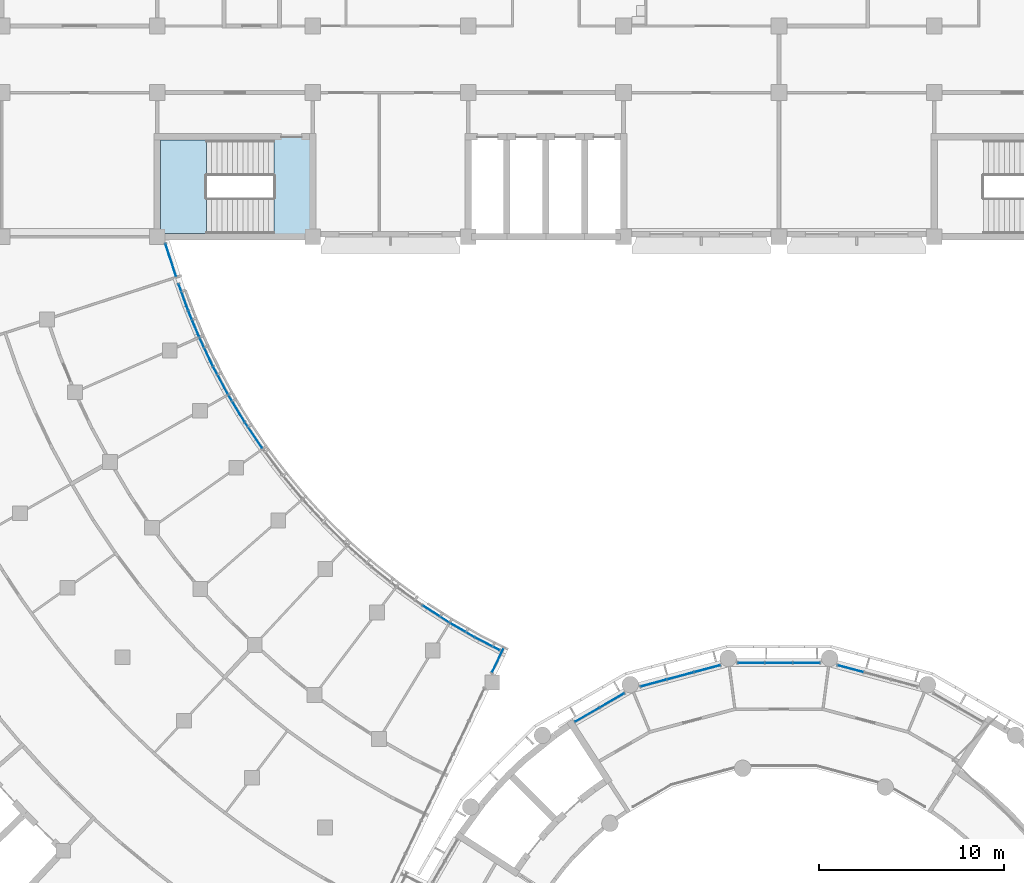
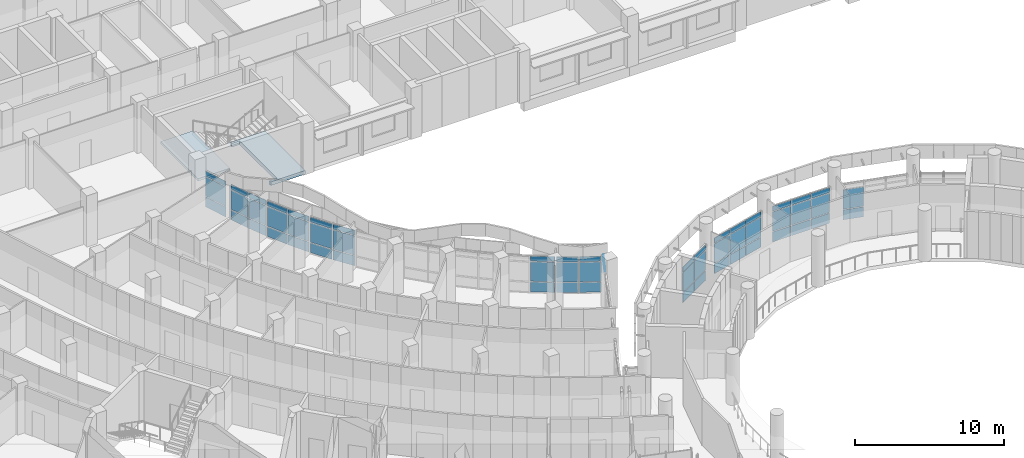
# One storey, part 39 of 109: 57 plates, 2 slabs, 12 elements without a shape of their own.
"""IFC4 building model written with IfcOpenShell, lengths in metres."""

from ifc_helpers import new_model, si_unit, direction, frame, origin, origin_2d, place, context, subcontext, project, spatial, polyline, rectangle, outline, extrude, material, layer, layer_set, type_object, element, aggregate, save


model = new_model("IFC4")

# Units and contexts
model_context = context("Model", 3, precision=1e-05, world=origin(), true_north=direction((0.0, 1.0)))
body_context = subcontext(model_context, "Body", "Model", "MODEL_VIEW")
ifc_project = project(units=[si_unit("LENGTHUNIT", "METRE"), si_unit("AREAUNIT", "SQUARE_METRE"), si_unit("VOLUMEUNIT", "CUBIC_METRE"), si_unit("PLANEANGLEUNIT", "RADIAN"), si_unit("MASSUNIT", "GRAM", prefix="KILO")], contexts=[model_context])

# Site, building, storey
site_placement = place(None, origin())
site = spatial("IfcSite", under=ifc_project, at=site_placement, CompositionType="ELEMENT")
building_placement = place(site_placement, origin())
building = spatial("IfcBuilding", under=site, at=building_placement, Name="Bougainvillea Quay General Hospital", CompositionType="ELEMENT")
storey_placement = place(building_placement, frame((0.0, 0.0, 12.60009765625)))
storey = spatial("IfcBuildingStorey", under=building, at=storey_placement, Name="L02", CompositionType="ELEMENT", Elevation=12.60009765625)

# Curtain wall, plate
ifc_material_1 = material(Name="Aluminium curtain wall system, powder-coated glazed", Category="aluminium")
curtain_wall_type_1 = type_object("IfcCurtainWallType", Name="Unitised curtain wall CW-1580", PredefinedType="NOTDEFINED", material=ifc_material_1)
curtain_wall_1_placement = place(storey_placement, origin())
curtain_wall_1 = element("IfcCurtainWall", 1, at=curtain_wall_1_placement, inside=storey, type_object=curtain_wall_type_1, Name="CW-AE 01", PredefinedType="NOTDEFINED")
ifc_material_2 = material(Name="Insulated aluminium spandrel panel, white", Category="aluminium")
ifc_layer_1 = layer(ifc_material_2, 0.028076171875)
ifc_layer_set_1 = layer_set([ifc_layer_1], Name="Insulated aluminium spandrel panel, white")
plate_type_1 = type_object("IfcPlateType", Name="Insulated spandrel panel white 28", PredefinedType="CURTAIN_PANEL", material=ifc_layer_set_1)
plate_1_placement = place(storey_placement, frame((93.997314453125, 94.706787109375, 2.580078125), z_axis=(0.0, 0.0, 1.0), x_axis=(0.430563040838, 0.902560506484, 0.0)))
plate_1 = element("IfcPlate", 2, at=plate_1_placement, type_object=plate_type_1, Name="CW-AE spandrel panel 1.3", PredefinedType="CURTAIN_PANEL", context=body_context, shape_type="SweptSolid", body=[
    extrude(rectangle(XDim=1.459716796875, YDim=0.028076171875, at=origin_2d()), origin(), (0.0, 0.0, 1.0), 0.409912109375),
])
aggregate(curtain_wall_1, [plate_1])

# Curtain wall, plates
curtain_wall_type_2 = type_object("IfcCurtainWallType", Name="Unitised curtain wall CW-2100", PredefinedType="NOTDEFINED", material=ifc_material_1)
curtain_wall_2_placement = place(storey_placement, origin())
curtain_wall_2 = element("IfcCurtainWall", 3, at=curtain_wall_2_placement, inside=storey, type_object=curtain_wall_type_2, Name="CW-W01 a11b0", PredefinedType="NOTDEFINED")
plate_2_placement = place(storey_placement, frame((93.4384765625, 95.602294921875, 0.059814453125), z_axis=(0.0, 0.0, 1.0), x_axis=(-0.887958036873, 0.459924477228, 0.0)))
plate_2 = element("IfcPlate", 4, at=plate_2_placement, type_object=plate_type_1, Name="CW-W01 spandrel panel 1.1", PredefinedType="CURTAIN_PANEL", context=body_context, shape_type="SweptSolid", body=[
    extrude(rectangle(XDim=1.475830078125, YDim=0.028076171875, at=origin_2d()), origin(), (0.0, 0.0, 1.0), 0.81005859375),
])
plate_3_placement = place(storey_placement, frame((93.4384765625, 95.602294921875, 2.580078125), z_axis=(0.0, 0.0, 1.0), x_axis=(-0.887958036873, 0.459924477228, 0.0)))
plate_3 = element("IfcPlate", 5, at=plate_3_placement, type_object=plate_type_1, Name="CW-W01 spandrel panel 1.3", PredefinedType="CURTAIN_PANEL", context=body_context, shape_type="SweptSolid", body=[
    extrude(rectangle(XDim=1.475830078125, YDim=0.028076171875, at=origin_2d()), origin(), (0.0, 0.0, 1.0), 0.409912109375),
])
plate_4_placement = place(storey_placement, frame((92.09130859375, 96.339599609375, 0.059814453125), z_axis=(0.0, 0.0, 1.0), x_axis=(-0.866007268476, 0.50003140996, 0.0)))
plate_4 = element("IfcPlate", 6, at=plate_4_placement, type_object=plate_type_1, Name="CW-W01 spandrel panel 2.1", PredefinedType="CURTAIN_PANEL", context=body_context, shape_type="SweptSolid", body=[
    extrude(rectangle(XDim=1.475830078125, YDim=0.028076171875, at=origin_2d()), origin(), (0.0, 0.0, 1.0), 0.81005859375),
])
plate_5_placement = place(storey_placement, frame((92.09130859375, 96.339599609375, 2.580078125), z_axis=(0.0, 0.0, 1.0), x_axis=(-0.866007268476, 0.50003140996, 0.0)))
plate_5 = element("IfcPlate", 7, at=plate_5_placement, type_object=plate_type_1, Name="CW-W01 spandrel panel 2.3", PredefinedType="CURTAIN_PANEL", context=body_context, shape_type="SweptSolid", body=[
    extrude(rectangle(XDim=1.475830078125, YDim=0.028076171875, at=origin_2d()), origin(), (0.0, 0.0, 1.0), 0.409912109375),
])

curtain_wall_3_placement = place(storey_placement, origin())
curtain_wall_3 = element("IfcCurtainWall", 8, at=curtain_wall_3_placement, inside=storey, type_object=curtain_wall_type_2, Name="CW-W02 a11b1", PredefinedType="NOTDEFINED")
plate_6_placement = place(storey_placement, frame((90.657470703125, 97.216796875, 0.059814453125), z_axis=(0.0, 0.0, 1.0), x_axis=(-0.840897357359, 0.541194636325, 0.0)))
plate_6 = element("IfcPlate", 9, at=plate_6_placement, type_object=plate_type_1, Name="CW-W02 spandrel panel 1.1", PredefinedType="CURTAIN_PANEL", context=body_context, shape_type="SweptSolid", body=[
    extrude(rectangle(XDim=1.64697265625, YDim=0.028076171875, at=origin_2d()), origin(), (0.0, 0.0, 1.0), 0.81005859375),
])
plate_7_placement = place(storey_placement, frame((90.657470703125, 97.216796875, 2.580078125), z_axis=(0.0, 0.0, 1.0), x_axis=(-0.840897357359, 0.541194636325, 0.0)))
plate_7 = element("IfcPlate", 10, at=plate_7_placement, type_object=plate_type_1, Name="CW-W02 spandrel panel 1.3", PredefinedType="CURTAIN_PANEL", context=body_context, shape_type="SweptSolid", body=[
    extrude(rectangle(XDim=1.64697265625, YDim=0.028076171875, at=origin_2d()), origin(), (0.0, 0.0, 1.0), 0.409912109375),
])

curtain_wall_4_placement = place(storey_placement, origin())
curtain_wall_4 = element("IfcCurtainWall", 11, at=curtain_wall_4_placement, inside=storey, type_object=curtain_wall_type_2, Name="CW-W06 a11b5", PredefinedType="NOTDEFINED")
plate_8_placement = place(storey_placement, frame((80.802001953125, 106.872802734375, 0.059814453125), z_axis=(0.0, 0.0, 1.0), x_axis=(-0.55900478642, 0.82916442806, 0.0)))
plate_8 = element("IfcPlate", 12, at=plate_8_placement, type_object=plate_type_1, Name="CW-W06 spandrel panel 1.1", PredefinedType="CURTAIN_PANEL", context=body_context, shape_type="SweptSolid", body=[
    extrude(rectangle(XDim=1.64697265625, YDim=0.028076171875, at=origin_2d()), origin(), (0.0, 0.0, 1.0), 0.81005859375),
])
plate_9_placement = place(storey_placement, frame((80.802001953125, 106.872802734375, 2.580078125), z_axis=(0.0, 0.0, 1.0), x_axis=(-0.55900478642, 0.82916442806, 0.0)))
plate_9 = element("IfcPlate", 13, at=plate_9_placement, type_object=plate_type_1, Name="CW-W06 spandrel panel 1.3", PredefinedType="CURTAIN_PANEL", context=body_context, shape_type="SweptSolid", body=[
    extrude(rectangle(XDim=1.64697265625, YDim=0.028076171875, at=origin_2d()), origin(), (0.0, 0.0, 1.0), 0.409912109375),
])
plate_10_placement = place(storey_placement, frame((79.88427734375, 108.311279296875, 0.059814453125), z_axis=(0.0, 0.0, 1.0), x_axis=(-0.516249351553, 0.856438326455, 0.0)))
plate_10 = element("IfcPlate", 14, at=plate_10_placement, type_object=plate_type_1, Name="CW-W06 spandrel panel 2.1", PredefinedType="CURTAIN_PANEL", context=body_context, shape_type="SweptSolid", body=[
    extrude(rectangle(XDim=1.64697265625, YDim=0.028076171875, at=origin_2d()), origin(), (0.0, 0.0, 1.0), 0.81005859375),
])
plate_11_placement = place(storey_placement, frame((79.88427734375, 108.311279296875, 2.580078125), z_axis=(0.0, 0.0, 1.0), x_axis=(-0.516249351553, 0.856438326455, 0.0)))
plate_11 = element("IfcPlate", 15, at=plate_11_placement, type_object=plate_type_1, Name="CW-W06 spandrel panel 2.3", PredefinedType="CURTAIN_PANEL", context=body_context, shape_type="SweptSolid", body=[
    extrude(rectangle(XDim=1.64697265625, YDim=0.028076171875, at=origin_2d()), origin(), (0.0, 0.0, 1.0), 0.409912109375),
])

curtain_wall_5_placement = place(storey_placement, origin())
curtain_wall_5 = element("IfcCurtainWall", 16, at=curtain_wall_5_placement, inside=storey, type_object=curtain_wall_type_2, Name="CW-W07 a11b6", PredefinedType="NOTDEFINED")
plate_12_placement = place(storey_placement, frame((79.010986328125, 109.8466796875, 0.059814453125), z_axis=(0.0, 0.0, 1.0), x_axis=(-0.472166178724, 0.881509557333, 0.0)))
plate_12 = element("IfcPlate", 17, at=plate_12_placement, type_object=plate_type_1, Name="CW-W07 spandrel panel 1.1", PredefinedType="CURTAIN_PANEL", context=body_context, shape_type="SweptSolid", body=[
    extrude(rectangle(XDim=1.64697265625, YDim=0.028076171875, at=origin_2d()), origin(), (0.0, 0.0, 1.0), 0.81005859375),
])
plate_13_placement = place(storey_placement, frame((79.010986328125, 109.8466796875, 2.580078125), z_axis=(0.0, 0.0, 1.0), x_axis=(-0.472166178724, 0.881509557333, 0.0)))
plate_13 = element("IfcPlate", 18, at=plate_13_placement, type_object=plate_type_1, Name="CW-W07 spandrel panel 1.3", PredefinedType="CURTAIN_PANEL", context=body_context, shape_type="SweptSolid", body=[
    extrude(rectangle(XDim=1.64697265625, YDim=0.028076171875, at=origin_2d()), origin(), (0.0, 0.0, 1.0), 0.409912109375),
])
plate_14_placement = place(storey_placement, frame((78.24365234375, 111.370849609375, 0.059814453125), z_axis=(0.0, 0.0, 1.0), x_axis=(-0.426868645126, 0.904313640176, 0.0)))
plate_14 = element("IfcPlate", 19, at=plate_14_placement, type_object=plate_type_1, Name="CW-W07 spandrel panel 2.1", PredefinedType="CURTAIN_PANEL", context=body_context, shape_type="SweptSolid", body=[
    extrude(rectangle(XDim=1.64697265625, YDim=0.028076171875, at=origin_2d()), origin(), (0.0, 0.0, 1.0), 0.81005859375),
])
plate_15_placement = place(storey_placement, frame((78.24365234375, 111.370849609375, 2.580078125), z_axis=(0.0, 0.0, 1.0), x_axis=(-0.426868645126, 0.904313640176, 0.0)))
plate_15 = element("IfcPlate", 20, at=plate_15_placement, type_object=plate_type_1, Name="CW-W07 spandrel panel 2.3", PredefinedType="CURTAIN_PANEL", context=body_context, shape_type="SweptSolid", body=[
    extrude(rectangle(XDim=1.64697265625, YDim=0.028076171875, at=origin_2d()), origin(), (0.0, 0.0, 1.0), 0.409912109375),
])

curtain_wall_6_placement = place(storey_placement, origin())
curtain_wall_6 = element("IfcCurtainWall", 21, at=curtain_wall_6_placement, inside=storey, type_object=curtain_wall_type_2, Name="CW-W08 a11b7", PredefinedType="NOTDEFINED")
plate_16_placement = place(storey_placement, frame((77.56103515625, 112.907470703125, 0.059814453125), z_axis=(0.0, 0.0, 1.0), x_axis=(-0.382770483282, 0.923843470036, 0.0)))
plate_16 = element("IfcPlate", 22, at=plate_16_placement, type_object=plate_type_1, Name="CW-W08 spandrel panel 1.1", PredefinedType="CURTAIN_PANEL", context=body_context, shape_type="SweptSolid", body=[
    extrude(rectangle(XDim=1.476806640625, YDim=0.028076171875, at=origin_2d()), origin(), (0.0, 0.0, 1.0), 0.81005859375),
])
plate_17_placement = place(storey_placement, frame((77.56103515625, 112.907470703125, 2.580078125), z_axis=(0.0, 0.0, 1.0), x_axis=(-0.382770483282, 0.923843470036, 0.0)))
plate_17 = element("IfcPlate", 23, at=plate_17_placement, type_object=plate_type_1, Name="CW-W08 spandrel panel 1.3", PredefinedType="CURTAIN_PANEL", context=body_context, shape_type="SweptSolid", body=[
    extrude(rectangle(XDim=1.476806640625, YDim=0.028076171875, at=origin_2d()), origin(), (0.0, 0.0, 1.0), 0.409912109375),
])
plate_18_placement = place(storey_placement, frame((77.005615234375, 114.33984375, 0.059814453125), z_axis=(0.0, 0.0, 1.0), x_axis=(-0.340120177444, 0.940381978185, 0.0)))
plate_18 = element("IfcPlate", 24, at=plate_18_placement, type_object=plate_type_1, Name="CW-W08 spandrel panel 2.1", PredefinedType="CURTAIN_PANEL", context=body_context, shape_type="SweptSolid", body=[
    extrude(rectangle(XDim=1.476806640625, YDim=0.028076171875, at=origin_2d()), origin(), (0.0, 0.0, 1.0), 0.81005859375),
])
plate_19_placement = place(storey_placement, frame((77.005615234375, 114.33984375, 2.580078125), z_axis=(0.0, 0.0, 1.0), x_axis=(-0.340120177444, 0.940381978185, 0.0)))
plate_19 = element("IfcPlate", 25, at=plate_19_placement, type_object=plate_type_1, Name="CW-W08 spandrel panel 2.3", PredefinedType="CURTAIN_PANEL", context=body_context, shape_type="SweptSolid", body=[
    extrude(rectangle(XDim=1.476806640625, YDim=0.028076171875, at=origin_2d()), origin(), (0.0, 0.0, 1.0), 0.409912109375),
])

curtain_wall_type_3 = type_object("IfcCurtainWallType", Name="Unitised curtain wall CW-1950", PredefinedType="NOTDEFINED", material=ifc_material_1)
curtain_wall_7_placement = place(storey_placement, origin())
curtain_wall_7 = element("IfcCurtainWall", 26, at=curtain_wall_7_placement, inside=storey, type_object=curtain_wall_type_3, Name="CW-AE 00", PredefinedType="NOTDEFINED")
plate_20_placement = place(storey_placement, frame((76.324951171875, 116.3427734375, 0.059814453125), z_axis=(0.0, 0.0, 1.0), x_axis=(-0.308970506674, 0.951071619809, 0.0)))
plate_20 = element("IfcPlate", 27, at=plate_20_placement, type_object=plate_type_1, Name="CW-AE spandrel panel 1.1", PredefinedType="CURTAIN_PANEL", context=body_context, shape_type="SweptSolid", body=[
    extrude(rectangle(XDim=1.829345703125, YDim=0.028076171875, at=origin_2d()), origin(), (0.0, 0.0, 1.0), 0.81005859375),
])
plate_21_placement = place(storey_placement, frame((76.324951171875, 116.3427734375, 2.580078125), z_axis=(0.0, 0.0, 1.0), x_axis=(-0.308970506674, 0.951071619809, 0.0)))
plate_21 = element("IfcPlate", 28, at=plate_21_placement, type_object=plate_type_1, Name="CW-AE spandrel panel 1.3", PredefinedType="CURTAIN_PANEL", context=body_context, shape_type="SweptSolid", body=[
    extrude(rectangle(XDim=1.829345703125, YDim=0.028076171875, at=origin_2d()), origin(), (0.0, 0.0, 1.0), 0.409912109375),
])

# Curtain wall, plate
curtain_wall_type_4 = type_object("IfcCurtainWallType", Name="Unitised curtain wall CW-1514", PredefinedType="NOTDEFINED", material=ifc_material_1)
curtain_wall_8_placement = place(storey_placement, origin())
curtain_wall_8 = element("IfcCurtainWall", 29, at=curtain_wall_8_placement, inside=storey, type_object=curtain_wall_type_4, Name="CW-D 00", PredefinedType="NOTDEFINED")
plate_22_placement = place(storey_placement, frame((113.075927734375, 94.257080078125, 0.059814453125), z_axis=(0.0, 0.0, 1.0), x_axis=(-0.965916292974, 0.258854621298, 0.0)))
plate_22 = element("IfcPlate", 30, at=plate_22_placement, type_object=plate_type_1, Name="CW-D spandrel panel 3.1", PredefinedType="CURTAIN_PANEL", context=body_context, shape_type="SweptSolid", body=[
    extrude(rectangle(XDim=1.423828125, YDim=0.028076171875, at=origin_2d()), origin(), (0.0, 0.0, 1.0), 0.81005859375),
])

# Curtain wall, plates
curtain_wall_9_placement = place(storey_placement, origin())
curtain_wall_9 = element("IfcCurtainWall", 31, at=curtain_wall_9_placement, inside=storey, type_object=curtain_wall_type_4, Name="CW-D 00", PredefinedType="NOTDEFINED")
plate_23_placement = place(storey_placement, frame((110.698974609375, 94.570068359375, 0.059814453125), z_axis=(0.0, 0.0, 1.0), x_axis=(-1.0, 0.0, 0.0)))
plate_23 = element("IfcPlate", 32, at=plate_23_placement, type_object=plate_type_1, Name="CW-D spandrel panel 1.1", PredefinedType="CURTAIN_PANEL", context=body_context, shape_type="SweptSolid", body=[
    extrude(rectangle(XDim=1.424072265625, YDim=0.028076171875, at=origin_2d()), origin(), (0.0, 0.0, 1.0), 0.81005859375),
])
plate_24_placement = place(storey_placement, frame((110.698974609375, 94.570068359375, 2.580078125), z_axis=(0.0, 0.0, 1.0), x_axis=(-1.0, 0.0, 0.0)))
plate_24 = element("IfcPlate", 33, at=plate_24_placement, type_object=plate_type_1, Name="CW-D spandrel panel 1.3", PredefinedType="CURTAIN_PANEL", context=body_context, shape_type="SweptSolid", body=[
    extrude(rectangle(XDim=1.424072265625, YDim=0.028076171875, at=origin_2d()), origin(), (0.0, 0.0, 1.0), 0.409912109375),
])
plate_25_placement = place(storey_placement, frame((109.199951171875, 94.570068359375, 0.059814453125), z_axis=(0.0, 0.0, 1.0), x_axis=(-1.0, 0.0, 0.0)))
plate_25 = element("IfcPlate", 34, at=plate_25_placement, type_object=plate_type_1, Name="CW-D spandrel panel 2.1", PredefinedType="CURTAIN_PANEL", context=body_context, shape_type="SweptSolid", body=[
    extrude(rectangle(XDim=1.4541015625, YDim=0.028076171875, at=origin_2d()), origin(), (0.0, 0.0, 1.0), 0.81005859375),
])
plate_26_placement = place(storey_placement, frame((109.199951171875, 94.570068359375, 2.580078125), z_axis=(0.0, 0.0, 1.0), x_axis=(-1.0, 0.0, 0.0)))
plate_26 = element("IfcPlate", 35, at=plate_26_placement, type_object=plate_type_1, Name="CW-D spandrel panel 2.3", PredefinedType="CURTAIN_PANEL", context=body_context, shape_type="SweptSolid", body=[
    extrude(rectangle(XDim=1.4541015625, YDim=0.028076171875, at=origin_2d()), origin(), (0.0, 0.0, 1.0), 0.409912109375),
])
plate_27_placement = place(storey_placement, frame((107.700927734375, 94.570068359375, 0.059814453125), z_axis=(0.0, 0.0, 1.0), x_axis=(-1.0, 0.0, 0.0)))
plate_27 = element("IfcPlate", 36, at=plate_27_placement, type_object=plate_type_1, Name="CW-D spandrel panel 3.1", PredefinedType="CURTAIN_PANEL", context=body_context, shape_type="SweptSolid", body=[
    extrude(rectangle(XDim=1.424072265625, YDim=0.028076171875, at=origin_2d()), origin(), (0.0, 0.0, 1.0), 0.81005859375),
])
plate_28_placement = place(storey_placement, frame((107.700927734375, 94.570068359375, 2.580078125), z_axis=(0.0, 0.0, 1.0), x_axis=(-1.0, 0.0, 0.0)))
plate_28 = element("IfcPlate", 37, at=plate_28_placement, type_object=plate_type_1, Name="CW-D spandrel panel 3.3", PredefinedType="CURTAIN_PANEL", context=body_context, shape_type="SweptSolid", body=[
    extrude(rectangle(XDim=1.424072265625, YDim=0.028076171875, at=origin_2d()), origin(), (0.0, 0.0, 1.0), 0.409912109375),
])

curtain_wall_10_placement = place(storey_placement, origin())
curtain_wall_10 = element("IfcCurtainWall", 38, at=curtain_wall_10_placement, inside=storey, type_object=curtain_wall_type_4, Name="CW-D 00", PredefinedType="NOTDEFINED")
plate_29_placement = place(storey_placement, frame((105.323974609375, 94.257080078125, 0.059814453125), z_axis=(0.0, 0.0, 1.0), x_axis=(-0.965916292974, -0.258854621298, 0.0)))
plate_29 = element("IfcPlate", 39, at=plate_29_placement, type_object=plate_type_1, Name="CW-D spandrel panel 1.1", PredefinedType="CURTAIN_PANEL", context=body_context, shape_type="SweptSolid", body=[
    extrude(rectangle(XDim=1.423828125, YDim=0.028076171875, at=origin_2d()), origin(), (0.0, 0.0, 1.0), 0.81005859375),
])
plate_30_placement = place(storey_placement, frame((105.323974609375, 94.257080078125, 2.580078125), z_axis=(0.0, 0.0, 1.0), x_axis=(-0.965916292974, -0.258854621298, 0.0)))
plate_30 = element("IfcPlate", 40, at=plate_30_placement, type_object=plate_type_1, Name="CW-D spandrel panel 1.3", PredefinedType="CURTAIN_PANEL", context=body_context, shape_type="SweptSolid", body=[
    extrude(rectangle(XDim=1.423828125, YDim=0.028076171875, at=origin_2d()), origin(), (0.0, 0.0, 1.0), 0.409912109375),
])
plate_31_placement = place(storey_placement, frame((103.876220703125, 93.869140625, 0.059814453125), z_axis=(0.0, 0.0, 1.0), x_axis=(-0.965916292974, -0.258854621298, 0.0)))
plate_31 = element("IfcPlate", 41, at=plate_31_placement, type_object=plate_type_1, Name="CW-D spandrel panel 2.1", PredefinedType="CURTAIN_PANEL", context=body_context, shape_type="SweptSolid", body=[
    extrude(rectangle(XDim=1.453857421875, YDim=0.028076171875, at=origin_2d()), origin(), (0.0, 0.0, 1.0), 0.81005859375),
])
plate_32_placement = place(storey_placement, frame((103.876220703125, 93.869140625, 2.580078125), z_axis=(0.0, 0.0, 1.0), x_axis=(-0.965916292974, -0.258854621298, 0.0)))
plate_32 = element("IfcPlate", 42, at=plate_32_placement, type_object=plate_type_1, Name="CW-D spandrel panel 2.3", PredefinedType="CURTAIN_PANEL", context=body_context, shape_type="SweptSolid", body=[
    extrude(rectangle(XDim=1.453857421875, YDim=0.028076171875, at=origin_2d()), origin(), (0.0, 0.0, 1.0), 0.409912109375),
])
plate_33_placement = place(storey_placement, frame((102.428466796875, 93.48095703125, 0.059814453125), z_axis=(0.0, 0.0, 1.0), x_axis=(-0.965916292974, -0.258854621298, 0.0)))
plate_33 = element("IfcPlate", 43, at=plate_33_placement, type_object=plate_type_1, Name="CW-D spandrel panel 3.1", PredefinedType="CURTAIN_PANEL", context=body_context, shape_type="SweptSolid", body=[
    extrude(rectangle(XDim=1.423828125, YDim=0.028076171875, at=origin_2d()), origin(), (0.0, 0.0, 1.0), 0.81005859375),
])
plate_34_placement = place(storey_placement, frame((102.428466796875, 93.48095703125, 2.580078125), z_axis=(0.0, 0.0, 1.0), x_axis=(-0.965916292974, -0.258854621298, 0.0)))
plate_34 = element("IfcPlate", 44, at=plate_34_placement, type_object=plate_type_1, Name="CW-D spandrel panel 3.3", PredefinedType="CURTAIN_PANEL", context=body_context, shape_type="SweptSolid", body=[
    extrude(rectangle(XDim=1.423828125, YDim=0.028076171875, at=origin_2d()), origin(), (0.0, 0.0, 1.0), 0.409912109375),
])

curtain_wall_type_5 = type_object("IfcCurtainWallType", Name="Unitised curtain wall CW-1585", PredefinedType="NOTDEFINED", material=ifc_material_1)
curtain_wall_11_placement = place(storey_placement, origin())
curtain_wall_11 = element("IfcCurtainWall", 45, at=curtain_wall_11_placement, inside=storey, type_object=curtain_wall_type_5, Name="CW-D 00", PredefinedType="NOTDEFINED")
plate_35_placement = place(storey_placement, frame((100.1826171875, 92.5458984375, 0.059814453125), z_axis=(0.0, 0.0, 1.0), x_axis=(-0.866045865692, -0.499964557262, 0.0)))
plate_35 = element("IfcPlate", 46, at=plate_35_placement, type_object=plate_type_1, Name="CW-D spandrel panel 1.1", PredefinedType="CURTAIN_PANEL", context=body_context, shape_type="SweptSolid", body=[
    extrude(rectangle(XDim=1.494873046875, YDim=0.028076171875, at=origin_2d()), origin(), (0.0, 0.0, 1.0), 0.81005859375),
])
plate_36_placement = place(storey_placement, frame((100.1826171875, 92.5458984375, 2.580078125), z_axis=(0.0, 0.0, 1.0), x_axis=(-0.866045865692, -0.499964557262, 0.0)))
plate_36 = element("IfcPlate", 47, at=plate_36_placement, type_object=plate_type_1, Name="CW-D spandrel panel 1.3", PredefinedType="CURTAIN_PANEL", context=body_context, shape_type="SweptSolid", body=[
    extrude(rectangle(XDim=1.494873046875, YDim=0.028076171875, at=origin_2d()), origin(), (0.0, 0.0, 1.0), 0.409912109375),
])
plate_37_placement = place(storey_placement, frame((98.8359375, 91.768310546875, 0.059814453125), z_axis=(0.0, 0.0, 1.0), x_axis=(-0.866045865692, -0.499964557262, 0.0)))
plate_37 = element("IfcPlate", 48, at=plate_37_placement, type_object=plate_type_1, Name="CW-D spandrel panel 2.1", PredefinedType="CURTAIN_PANEL", context=body_context, shape_type="SweptSolid", body=[
    extrude(rectangle(XDim=1.494873046875, YDim=0.028076171875, at=origin_2d()), origin(), (0.0, 0.0, 1.0), 0.81005859375),
])
plate_38_placement = place(storey_placement, frame((98.8359375, 91.768310546875, 2.580078125), z_axis=(0.0, 0.0, 1.0), x_axis=(-0.866045865692, -0.499964557262, 0.0)))
plate_38 = element("IfcPlate", 49, at=plate_38_placement, type_object=plate_type_1, Name="CW-D spandrel panel 2.3", PredefinedType="CURTAIN_PANEL", context=body_context, shape_type="SweptSolid", body=[
    extrude(rectangle(XDim=1.494873046875, YDim=0.028076171875, at=origin_2d()), origin(), (0.0, 0.0, 1.0), 0.409912109375),
])

# Plate
ifc_material_3 = material(Name="Low-e laminated glass, solar control", Category="glass")
ifc_layer_2 = layer(ifc_material_3, 0.028076171875)
ifc_layer_set_2 = layer_set([ifc_layer_2], Name="Low-e laminated glass, solar control")
plate_type_2 = type_object("IfcPlateType", Name="Low-e laminated vision glass 28", PredefinedType="CURTAIN_PANEL", material=ifc_layer_set_2)
plate_39_placement = place(storey_placement, frame((93.4384765625, 95.602294921875, 0.9296875), z_axis=(0.0, 0.0, 1.0), x_axis=(-0.887958036873, 0.459924477228, 0.0)))
plate_39 = element("IfcPlate", 50, at=plate_39_placement, type_object=plate_type_2, Name="CW-W01 vision glass panel 1.2", PredefinedType="CURTAIN_PANEL", context=body_context, shape_type="SweptSolid", body=[
    extrude(rectangle(XDim=1.475830078125, YDim=0.028076171875, at=origin_2d()), origin(), (0.0, 0.0, 1.0), 1.590087890625),
])

plate_40_placement = place(storey_placement, frame((92.09130859375, 96.339599609375, 0.9296875), z_axis=(0.0, 0.0, 1.0), x_axis=(-0.866007268476, 0.50003140996, 0.0)))
plate_40 = element("IfcPlate", 51, at=plate_40_placement, type_object=plate_type_2, Name="CW-W01 vision glass panel 2.2", PredefinedType="CURTAIN_PANEL", context=body_context, shape_type="SweptSolid", body=[
    extrude(rectangle(XDim=1.475830078125, YDim=0.028076171875, at=origin_2d()), origin(), (0.0, 0.0, 1.0), 1.590087890625),
])

aggregate(curtain_wall_2, [plate_2, plate_39, plate_3, plate_4, plate_40, plate_5])

plate_41_placement = place(storey_placement, frame((90.657470703125, 97.216796875, 0.9296875), z_axis=(0.0, 0.0, 1.0), x_axis=(-0.840897357359, 0.541194636325, 0.0)))
plate_41 = element("IfcPlate", 52, at=plate_41_placement, type_object=plate_type_2, Name="CW-W02 vision glass panel 1.2", PredefinedType="CURTAIN_PANEL", context=body_context, shape_type="SweptSolid", body=[
    extrude(rectangle(XDim=1.64697265625, YDim=0.028076171875, at=origin_2d()), origin(), (0.0, 0.0, 1.0), 1.590087890625),
])

aggregate(curtain_wall_3, [plate_6, plate_41, plate_7])

plate_42_placement = place(storey_placement, frame((80.802001953125, 106.872802734375, 0.9296875), z_axis=(0.0, 0.0, 1.0), x_axis=(-0.55900478642, 0.82916442806, 0.0)))
plate_42 = element("IfcPlate", 53, at=plate_42_placement, type_object=plate_type_2, Name="CW-W06 vision glass panel 1.2", PredefinedType="CURTAIN_PANEL", context=body_context, shape_type="SweptSolid", body=[
    extrude(rectangle(XDim=1.64697265625, YDim=0.028076171875, at=origin_2d()), origin(), (0.0, 0.0, 1.0), 1.590087890625),
])

plate_43_placement = place(storey_placement, frame((79.88427734375, 108.311279296875, 0.9296875), z_axis=(0.0, 0.0, 1.0), x_axis=(-0.516249351553, 0.856438326455, 0.0)))
plate_43 = element("IfcPlate", 54, at=plate_43_placement, type_object=plate_type_2, Name="CW-W06 vision glass panel 2.2", PredefinedType="CURTAIN_PANEL", context=body_context, shape_type="SweptSolid", body=[
    extrude(rectangle(XDim=1.64697265625, YDim=0.028076171875, at=origin_2d()), origin(), (0.0, 0.0, 1.0), 1.590087890625),
])

aggregate(curtain_wall_4, [plate_8, plate_42, plate_9, plate_10, plate_43, plate_11])

plate_44_placement = place(storey_placement, frame((79.010986328125, 109.8466796875, 0.9296875), z_axis=(0.0, 0.0, 1.0), x_axis=(-0.472166178724, 0.881509557333, 0.0)))
plate_44 = element("IfcPlate", 55, at=plate_44_placement, type_object=plate_type_2, Name="CW-W07 vision glass panel 1.2", PredefinedType="CURTAIN_PANEL", context=body_context, shape_type="SweptSolid", body=[
    extrude(rectangle(XDim=1.64697265625, YDim=0.028076171875, at=origin_2d()), origin(), (0.0, 0.0, 1.0), 1.590087890625),
])

plate_45_placement = place(storey_placement, frame((78.24365234375, 111.370849609375, 0.9296875), z_axis=(0.0, 0.0, 1.0), x_axis=(-0.426868645126, 0.904313640176, 0.0)))
plate_45 = element("IfcPlate", 56, at=plate_45_placement, type_object=plate_type_2, Name="CW-W07 vision glass panel 2.2", PredefinedType="CURTAIN_PANEL", context=body_context, shape_type="SweptSolid", body=[
    extrude(rectangle(XDim=1.64697265625, YDim=0.028076171875, at=origin_2d()), origin(), (0.0, 0.0, 1.0), 1.590087890625),
])

aggregate(curtain_wall_5, [plate_12, plate_44, plate_13, plate_14, plate_45, plate_15])

plate_46_placement = place(storey_placement, frame((77.56103515625, 112.907470703125, 0.9296875), z_axis=(0.0, 0.0, 1.0), x_axis=(-0.382770483282, 0.923843470036, 0.0)))
plate_46 = element("IfcPlate", 57, at=plate_46_placement, type_object=plate_type_2, Name="CW-W08 vision glass panel 1.2", PredefinedType="CURTAIN_PANEL", context=body_context, shape_type="SweptSolid", body=[
    extrude(rectangle(XDim=1.476806640625, YDim=0.028076171875, at=origin_2d()), origin(), (0.0, 0.0, 1.0), 1.590087890625),
])

plate_47_placement = place(storey_placement, frame((77.005615234375, 114.33984375, 0.9296875), z_axis=(0.0, 0.0, 1.0), x_axis=(-0.340120177444, 0.940381978185, 0.0)))
plate_47 = element("IfcPlate", 58, at=plate_47_placement, type_object=plate_type_2, Name="CW-W08 vision glass panel 2.2", PredefinedType="CURTAIN_PANEL", context=body_context, shape_type="SweptSolid", body=[
    extrude(rectangle(XDim=1.476806640625, YDim=0.028076171875, at=origin_2d()), origin(), (0.0, 0.0, 1.0), 1.590087890625),
])

aggregate(curtain_wall_6, [plate_16, plate_46, plate_17, plate_18, plate_47, plate_19])

plate_48_placement = place(storey_placement, frame((76.324951171875, 116.3427734375, 0.9296875), z_axis=(0.0, 0.0, 1.0), x_axis=(-0.308970506674, 0.951071619809, 0.0)))
plate_48 = element("IfcPlate", 59, at=plate_48_placement, type_object=plate_type_2, Name="CW-AE vision glass panel 1.2", PredefinedType="CURTAIN_PANEL", context=body_context, shape_type="SweptSolid", body=[
    extrude(rectangle(XDim=1.829345703125, YDim=0.028076171875, at=origin_2d()), origin(), (0.0, 0.0, 1.0), 1.590087890625),
])

aggregate(curtain_wall_7, [plate_20, plate_48, plate_21])

plate_49_placement = place(storey_placement, frame((113.075927734375, 94.257080078125, 0.9296875), z_axis=(0.0, 0.0, 1.0), x_axis=(-0.965916292974, 0.258854621298, 0.0)))
plate_49 = element("IfcPlate", 60, at=plate_49_placement, type_object=plate_type_2, Name="CW-D vision glass panel 3.2", PredefinedType="CURTAIN_PANEL", context=body_context, shape_type="SweptSolid", body=[
    extrude(rectangle(XDim=1.423828125, YDim=0.028076171875, at=origin_2d()), origin(), (0.0, 0.0, 1.0), 1.590087890625),
])

aggregate(curtain_wall_8, [plate_22, plate_49])

plate_50_placement = place(storey_placement, frame((110.698974609375, 94.570068359375, 0.9296875), z_axis=(0.0, 0.0, 1.0), x_axis=(-1.0, 0.0, 0.0)))
plate_50 = element("IfcPlate", 61, at=plate_50_placement, type_object=plate_type_2, Name="CW-D vision glass panel 1.2", PredefinedType="CURTAIN_PANEL", context=body_context, shape_type="SweptSolid", body=[
    extrude(rectangle(XDim=1.424072265625, YDim=0.028076171875, at=origin_2d()), origin(), (0.0, 0.0, 1.0), 1.590087890625),
])

plate_51_placement = place(storey_placement, frame((109.199951171875, 94.570068359375, 0.9296875), z_axis=(0.0, 0.0, 1.0), x_axis=(-1.0, 0.0, 0.0)))
plate_51 = element("IfcPlate", 62, at=plate_51_placement, type_object=plate_type_2, Name="CW-D vision glass panel 2.2", PredefinedType="CURTAIN_PANEL", context=body_context, shape_type="SweptSolid", body=[
    extrude(rectangle(XDim=1.4541015625, YDim=0.028076171875, at=origin_2d()), origin(), (0.0, 0.0, 1.0), 1.590087890625),
])

plate_52_placement = place(storey_placement, frame((107.700927734375, 94.570068359375, 0.9296875), z_axis=(0.0, 0.0, 1.0), x_axis=(-1.0, 0.0, 0.0)))
plate_52 = element("IfcPlate", 63, at=plate_52_placement, type_object=plate_type_2, Name="CW-D vision glass panel 3.2", PredefinedType="CURTAIN_PANEL", context=body_context, shape_type="SweptSolid", body=[
    extrude(rectangle(XDim=1.424072265625, YDim=0.028076171875, at=origin_2d()), origin(), (0.0, 0.0, 1.0), 1.590087890625),
])

aggregate(curtain_wall_9, [plate_23, plate_50, plate_24, plate_25, plate_51, plate_26, plate_27, plate_52, plate_28])

plate_53_placement = place(storey_placement, frame((105.323974609375, 94.257080078125, 0.9296875), z_axis=(0.0, 0.0, 1.0), x_axis=(-0.965916292974, -0.258854621298, 0.0)))
plate_53 = element("IfcPlate", 64, at=plate_53_placement, type_object=plate_type_2, Name="CW-D vision glass panel 1.2", PredefinedType="CURTAIN_PANEL", context=body_context, shape_type="SweptSolid", body=[
    extrude(rectangle(XDim=1.423828125, YDim=0.028076171875, at=origin_2d()), origin(), (0.0, 0.0, 1.0), 1.590087890625),
])

plate_54_placement = place(storey_placement, frame((103.876220703125, 93.869140625, 0.9296875), z_axis=(0.0, 0.0, 1.0), x_axis=(-0.965916292974, -0.258854621298, 0.0)))
plate_54 = element("IfcPlate", 65, at=plate_54_placement, type_object=plate_type_2, Name="CW-D vision glass panel 2.2", PredefinedType="CURTAIN_PANEL", context=body_context, shape_type="SweptSolid", body=[
    extrude(rectangle(XDim=1.453857421875, YDim=0.028076171875, at=origin_2d()), origin(), (0.0, 0.0, 1.0), 1.590087890625),
])

plate_55_placement = place(storey_placement, frame((102.428466796875, 93.48095703125, 0.9296875), z_axis=(0.0, 0.0, 1.0), x_axis=(-0.965916292974, -0.258854621298, 0.0)))
plate_55 = element("IfcPlate", 66, at=plate_55_placement, type_object=plate_type_2, Name="CW-D vision glass panel 3.2", PredefinedType="CURTAIN_PANEL", context=body_context, shape_type="SweptSolid", body=[
    extrude(rectangle(XDim=1.423828125, YDim=0.028076171875, at=origin_2d()), origin(), (0.0, 0.0, 1.0), 1.590087890625),
])

aggregate(curtain_wall_10, [plate_29, plate_53, plate_30, plate_31, plate_54, plate_32, plate_33, plate_55, plate_34])

plate_56_placement = place(storey_placement, frame((100.1826171875, 92.5458984375, 0.9296875), z_axis=(0.0, 0.0, 1.0), x_axis=(-0.866045865692, -0.499964557262, 0.0)))
plate_56 = element("IfcPlate", 67, at=plate_56_placement, type_object=plate_type_2, Name="CW-D vision glass panel 1.2", PredefinedType="CURTAIN_PANEL", context=body_context, shape_type="SweptSolid", body=[
    extrude(rectangle(XDim=1.494873046875, YDim=0.028076171875, at=origin_2d()), origin(), (0.0, 0.0, 1.0), 1.590087890625),
])

plate_57_placement = place(storey_placement, frame((98.8359375, 91.768310546875, 0.9296875), z_axis=(0.0, 0.0, 1.0), x_axis=(-0.866045865692, -0.499964557262, 0.0)))
plate_57 = element("IfcPlate", 68, at=plate_57_placement, type_object=plate_type_2, Name="CW-D vision glass panel 2.2", PredefinedType="CURTAIN_PANEL", context=body_context, shape_type="SweptSolid", body=[
    extrude(rectangle(XDim=1.494873046875, YDim=0.028076171875, at=origin_2d()), origin(), (0.0, 0.0, 1.0), 1.590087890625),
])

aggregate(curtain_wall_11, [plate_35, plate_56, plate_36, plate_37, plate_57, plate_38])

# Slab
ifc_material_4 = material(Name="Concrete C35", Category="concrete")
ifc_layer_3 = layer(ifc_material_4, 0.300048828125)
ifc_layer_set_3 = layer_set([ifc_layer_3], Name="Concrete C35")
slab_type_1 = type_object("IfcSlabType", Name="RC FLAT SLAB 300 C35", PredefinedType="FLOOR", material=ifc_layer_set_3)
slab_1_placement = place(storey_placement, frame((0.0, 0.0, -0.300048828125)))
element("IfcSlab", 69, at=slab_1_placement, inside=storey, type_object=slab_type_1, Name="Stair landing floor ST-B2 L02", PredefinedType="FLOOR", context=body_context, shape_type="SweptSolid", body=[
    extrude(outline(polyline([(81.302978515625, 122.8837890625), (81.3115234375, 122.942138671875), (81.325927734375, 122.99951171875), (84.0, 123.0), (84.0, 117.60009765625), (81.325927734375, 117.600341796875), (81.3115234375, 117.657958984375), (81.302978515625, 117.71630859375), (81.300048828125, 117.77392578125), (81.900634765625, 117.7744140625), (81.900634765625, 122.82568359375), (81.300048828125, 122.825927734375), (81.302978515625, 122.8837890625)])), origin(), (0.0, 0.0, 1.0), 0.300048828125),
])

# Stair, slab
stair_type = type_object("IfcStairType", Name="Stair half-turn 1925 wide", PredefinedType="HALF_TURN_STAIR", material=ifc_material_4)
stair_placement = place(storey_placement, origin())
stair = element("IfcStair", 70, at=stair_placement, inside=storey, type_object=stair_type, Name="L02 stair ST-B2", PredefinedType="HALF_TURN_STAIR")
ifc_layer_4 = layer(ifc_material_4, 0.199951171875)
ifc_layer_set_4 = layer_set([ifc_layer_4], Name="Concrete C35")
slab_type_2 = type_object("IfcSlabType", Name="Stair landing 200", PredefinedType="LANDING", material=ifc_layer_set_4)
slab_2_placement = place(storey_placement, frame((0.0, 0.0, 1.89990234375)))
slab_2 = element("IfcSlab", 71, at=slab_2_placement, type_object=slab_type_2, Name="ST-B2 landing 1", PredefinedType="LANDING", context=body_context, shape_type="SweptSolid", body=[
    extrude(outline(polyline([(78.260009765625, 122.824951171875), (75.77490234375, 122.824951171875), (75.77490234375, 117.77490234375), (78.260009765625, 117.77490234375), (78.260009765625, 122.824951171875)])), origin(), (0.0, 0.0, 1.0), 0.199951171875),
])
aggregate(stair, [slab_2])

save(model, "model.ifc")
